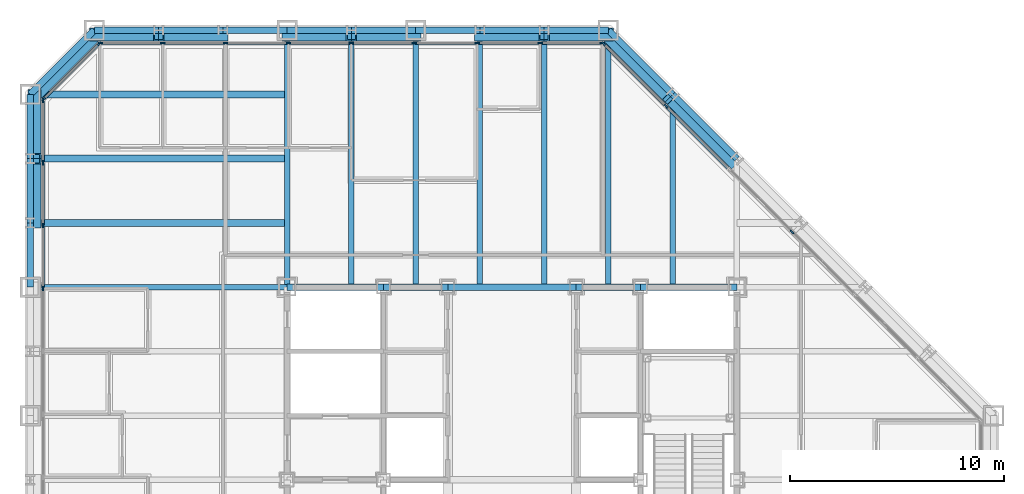
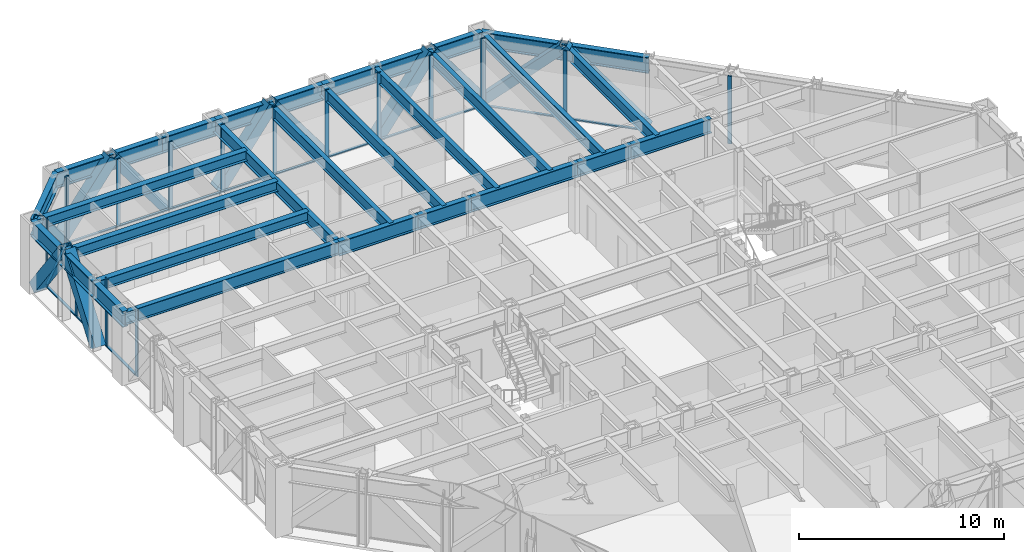
# One storey, part 7 of 16: 43 members, 30 beams, 4 elements without a shape of their own.
"""IFC4 building model written with IfcOpenShell, lengths in metres."""

from ifc_helpers import new_model, si_unit, direction, frame, origin, origin_2d, place, context, subcontext, project, spatial, rectangle, hollow_rectangle, i_section, extrude, material, layer, layer_set, material_profile, profile_set, type_object, element, aggregate, save


model = new_model("IFC4")

# Units and contexts
model_context = context("Model", 3, precision=1e-05, world=origin(), true_north=direction((0.0, 1.0)))
body_context = subcontext(model_context, "Body", "Model", "MODEL_VIEW")
ifc_project = project(units=[si_unit("LENGTHUNIT", "METRE"), si_unit("AREAUNIT", "SQUARE_METRE"), si_unit("VOLUMEUNIT", "CUBIC_METRE"), si_unit("PLANEANGLEUNIT", "RADIAN"), si_unit("MASSUNIT", "GRAM", prefix="KILO")], contexts=[model_context])

# Site, building, storey
site_placement = place(None, origin())
site = spatial("IfcSite", under=ifc_project, at=site_placement, CompositionType="ELEMENT")
building_placement = place(site_placement, origin())
building = spatial("IfcBuilding", under=site, at=building_placement, Name="Chuquiago Exchange Tower", CompositionType="ELEMENT")
storey_placement = place(building_placement, frame((0.0, 0.0, 144.60009765625)))
storey = spatial("IfcBuildingStorey", under=building, at=storey_placement, Name="L31", CompositionType="ELEMENT", Elevation=144.60009765625)

# Beams
ifc_material_1 = material(Name="Steel ASTM A992", Category="steel")
ifc_material_profile_1 = material_profile(ifc_material_1, i_section(OverallWidth=0.25390625, OverallDepth=0.683349609375, WebThickness=0.012451171875, FlangeThickness=0.018798828125, at=origin_2d()), Name="W27X94")
ifc_profile_set_1 = profile_set([ifc_material_profile_1], Name="Steel ASTM A992")
beam_type_1 = type_object("IfcBeamType", Name="B1 W27X94", PredefinedType="BEAM", material=ifc_profile_set_1)
for number, where, z_axis, x_axis, name in (
    (1, (15.0, 33.0, 3.6982421875), (0.0, 1.0, 0.0), (-1.0, 0.0, 0.0), "FB-L32-infill-15_33-15_45-0"),
    (2, (18.0, 33.0, 3.6982421875), (0.0, 1.0, 0.0), (-1.0, 0.0, 0.0), "FB-L32-infill-18_33-18_45-0"),
    (3, (21.0, 33.0, 3.6982421875), (0.0, 1.0, 0.0), (-1.0, 0.0, 0.0), "FB-L32-infill-21_33-21_45-0"),
    (4, (24.0, 33.0, 3.6982421875), (0.0, 1.0, 0.0), (-1.0, 0.0, 0.0), "FB-L32-infill-24_33-24_45-0"),
    (5, (27.0, 33.0, 3.6982421875), (0.0, 1.0, 0.0), (-1.0, 0.0, 0.0), "FB-L32-infill-27_33-27_45-0"),
):
    element("IfcBeam", number, at=place(storey_placement, frame(where, z_axis=z_axis, x_axis=x_axis)), inside=storey, type_object=beam_type_1, Name=name, PredefinedType="BEAM", context=body_context, shape_type="SweptSolid", body=[
        extrude(i_section(OverallWidth=0.25390625, OverallDepth=0.683349609375, WebThickness=0.012451171875, FlangeThickness=0.018798828125, at=origin_2d()), origin(), (0.0, 0.0, 1.0), 12.0),
    ])
beam_1_placement = place(storey_placement, frame((30.0, 33.0, 3.6982421875), z_axis=(0.0, 1.0, 0.0), x_axis=(-1.0, 0.0, 0.0)))
element("IfcBeam", 6, at=beam_1_placement, inside=storey, type_object=beam_type_1, Name="FB-L32-infill-30_33-30_42-0", PredefinedType="BEAM", context=body_context, shape_type="SweptSolid", body=[
    extrude(i_section(OverallWidth=0.25390625, OverallDepth=0.683349609375, WebThickness=0.012451171875, FlangeThickness=0.018798828125, at=origin_2d()), origin(), (0.0, 0.0, 1.0), 9.0),
])
ifc_material_2 = material(Name="Steel ASTM A992", Category="steel")
ifc_material_profile_2 = material_profile(ifc_material_2, i_section(OverallWidth=0.3251953125, OverallDepth=0.612060546875, WebThickness=0.0126953125, FlangeThickness=0.01904296875, at=origin_2d()), Name="W24X104")
ifc_profile_set_2 = profile_set([ifc_material_profile_2], Name="Steel ASTM A992")
beam_type_2 = type_object("IfcBeamType", Name="B2 W24X104", PredefinedType="BEAM", material=ifc_profile_set_2)
for number, where, z_axis, x_axis, name in (
    (7, (12.0, 36.0, 3.73388671875), (-1.0, 0.0, 0.0), (0.0, -1.0, 0.0), "FB-L32-corner-12_36--0_36-0"),
    (8, (12.0, 39.0, 3.73388671875), (-1.0, 0.0, 0.0), (0.0, -1.0, 0.0), "FB-L32-corner-12_39--0_39-0"),
    (9, (12.0, 42.0, 3.73388671875), (-1.0, 0.0, 0.0), (0.0, -1.0, 0.0), "FB-L32-corner-12_42--0_42-0"),
):
    element("IfcBeam", number, at=place(storey_placement, frame(where, z_axis=z_axis, x_axis=x_axis)), inside=storey, type_object=beam_type_2, Name=name, PredefinedType="BEAM", context=body_context, shape_type="SweptSolid", body=[
        extrude(i_section(OverallWidth=0.3251953125, OverallDepth=0.612060546875, WebThickness=0.0126953125, FlangeThickness=0.01904296875, at=origin_2d()), origin(), (0.0, 0.0, 1.0), 12.0),
    ])
ifc_material_3 = material(Name="Steel ASTM A992", Category="steel")
ifc_material_profile_3 = material_profile(ifc_material_3, i_section(OverallWidth=0.2919921875, OverallDepth=0.8583984375, WebThickness=0.01708984375, FlangeThickness=0.031005859375, at=origin_2d()), Name="W33X169")
ifc_profile_set_3 = profile_set([ifc_material_profile_3], Name="Steel ASTM A992")
beam_type_3 = type_object("IfcBeamType", Name="B3 W33X169", PredefinedType="BEAM", material=ifc_profile_set_3)
beam_2_placement = place(storey_placement, frame((12.0, 33.0, 3.610595703125), z_axis=(1.0, 0.0, 0.0), x_axis=(0.0, 1.0, 0.0)))
element("IfcBeam", 10, at=beam_2_placement, inside=storey, type_object=beam_type_3, Name="CB-L32-12_33-16.5_33", PredefinedType="BEAM", context=body_context, shape_type="SweptSolid", body=[
    extrude(i_section(OverallWidth=0.2919921875, OverallDepth=0.8583984375, WebThickness=0.01708984375, FlangeThickness=0.031005859375, at=origin_2d()), origin(), (0.0, 0.0, 1.0), 4.5),
])
beam_3_placement = place(storey_placement, frame((16.5, 33.0, 3.610595703125), z_axis=(1.0, 0.0, 0.0), x_axis=(0.0, 1.0, 0.0)))
element("IfcBeam", 11, at=beam_3_placement, inside=storey, type_object=beam_type_3, Name="CB-L32-16.5_33-19.5_33", PredefinedType="BEAM", context=body_context, shape_type="SweptSolid", body=[
    extrude(i_section(OverallWidth=0.2919921875, OverallDepth=0.8583984375, WebThickness=0.01708984375, FlangeThickness=0.031005859375, at=origin_2d()), origin(), (0.0, 0.0, 1.0), 3.0),
])
beam_4_placement = place(storey_placement, frame((19.5, 33.0, 3.610595703125), z_axis=(1.0, 0.0, 0.0), x_axis=(0.0, 1.0, 0.0)))
element("IfcBeam", 12, at=beam_4_placement, inside=storey, type_object=beam_type_3, Name="CB-L32-19.5_33-25.5_33", PredefinedType="BEAM", context=body_context, shape_type="SweptSolid", body=[
    extrude(i_section(OverallWidth=0.2919921875, OverallDepth=0.8583984375, WebThickness=0.01708984375, FlangeThickness=0.031005859375, at=origin_2d()), origin(), (0.0, 0.0, 1.0), 6.0),
])
beam_5_placement = place(storey_placement, frame((25.5, 33.0, 3.610595703125), z_axis=(1.0, 0.0, 0.0), x_axis=(0.0, 1.0, 0.0)))
element("IfcBeam", 13, at=beam_5_placement, inside=storey, type_object=beam_type_3, Name="CB-L32-25.5_33-28.5_33", PredefinedType="BEAM", context=body_context, shape_type="SweptSolid", body=[
    extrude(i_section(OverallWidth=0.2919921875, OverallDepth=0.8583984375, WebThickness=0.01708984375, FlangeThickness=0.031005859375, at=origin_2d()), origin(), (0.0, 0.0, 1.0), 3.0),
])
beam_6_placement = place(storey_placement, frame((28.5, 33.0, 3.610595703125), z_axis=(1.0, 0.0, 0.0), x_axis=(0.0, 1.0, 0.0)))
element("IfcBeam", 14, at=beam_6_placement, inside=storey, type_object=beam_type_3, Name="CB-L32-28.5_33-33_33", PredefinedType="BEAM", context=body_context, shape_type="SweptSolid", body=[
    extrude(i_section(OverallWidth=0.2919921875, OverallDepth=0.8583984375, WebThickness=0.01708984375, FlangeThickness=0.031005859375, at=origin_2d()), origin(), (0.0, 0.0, 1.0), 4.5),
])

# Curtain wall, members
ifc_material_4 = material(Name="Aluminium curtain wall system", Category="aluminium")
ifc_layer_1 = layer(ifc_material_4, 0.22509765625)
ifc_layer_set_1 = layer_set([ifc_layer_1], Name="CW2 office curtain wall")
curtain_wall_type_1 = type_object("IfcCurtainWallType", Name="CW2 office curtain wall", PredefinedType="NOTDEFINED", material=ifc_layer_set_1)
curtain_wall_1_placement = place(storey_placement, origin())
curtain_wall_1 = element("IfcCurtainWall", 15, at=curtain_wall_1_placement, inside=storey, type_object=curtain_wall_type_1, Name="CW2 curtain wall L31", PredefinedType="NOTDEFINED")
ifc_material_5 = material(Name="Aluminium mullion, pale anodised", Category="aluminium")
ifc_material_profile_4 = material_profile(ifc_material_5, rectangle(XDim=0.06494140625, YDim=0.22509765625, at=origin_2d()), Name="AL 65x225")
ifc_profile_set_4 = profile_set([ifc_material_profile_4], Name="Aluminium mullion, pale anodised")
member_type_1 = type_object("IfcMemberType", Name="CW2-M mullion 65x225", PredefinedType="MULLION", material=ifc_profile_set_4)
member_1_placement = place(storey_placement, frame((26.718994140625, 44.39990234375, 0.0), z_axis=(0.0, 0.0, 1.0), x_axis=(0.0, -1.0, 0.0)))
member_1 = element("IfcMember", 16, at=member_1_placement, type_object=member_type_1, Name="CW2 mullion 1", PredefinedType="MULLION", context=body_context, shape_type="SweptSolid", body=[
    extrude(rectangle(XDim=0.06494140625, YDim=0.22509765625, at=origin_2d()), origin(), (0.0, 0.0, 1.0), 4.039794921875),
])
member_2_placement = place(storey_placement, frame((23.813720703125, 44.39990234375, 0.0), z_axis=(0.0, 0.0, 1.0), x_axis=(0.0, -1.0, 0.0)))
member_2 = element("IfcMember", 17, at=member_2_placement, type_object=member_type_1, Name="CW2 mullion 2", PredefinedType="MULLION", context=body_context, shape_type="SweptSolid", body=[
    extrude(rectangle(XDim=0.06494140625, YDim=0.22509765625, at=origin_2d()), origin(), (0.0, 0.0, 1.0), 4.039794921875),
])
member_3_placement = place(storey_placement, frame((20.875732421875, 44.39990234375, 0.0), z_axis=(0.0, 0.0, 1.0), x_axis=(0.0, -1.0, 0.0)))
member_3 = element("IfcMember", 18, at=member_3_placement, type_object=member_type_1, Name="CW2 mullion 3", PredefinedType="MULLION", context=body_context, shape_type="SweptSolid", body=[
    extrude(rectangle(XDim=0.06494140625, YDim=0.22509765625, at=origin_2d()), origin(), (0.0, 0.0, 1.0), 4.039794921875),
])
member_4_placement = place(storey_placement, frame((17.93798828125, 44.39990234375, 0.0), z_axis=(0.0, 0.0, 1.0), x_axis=(0.0, -1.0, 0.0)))
member_4 = element("IfcMember", 19, at=member_4_placement, type_object=member_type_1, Name="CW2 mullion 4", PredefinedType="MULLION", context=body_context, shape_type="SweptSolid", body=[
    extrude(rectangle(XDim=0.06494140625, YDim=0.22509765625, at=origin_2d()), origin(), (0.0, 0.0, 1.0), 4.039794921875),
])
member_5_placement = place(storey_placement, frame((15.0, 44.39990234375, 0.0), z_axis=(0.0, 0.0, 1.0), x_axis=(0.0, -1.0, 0.0)))
member_5 = element("IfcMember", 20, at=member_5_placement, type_object=member_type_1, Name="CW2 mullion 5", PredefinedType="MULLION", context=body_context, shape_type="SweptSolid", body=[
    extrude(rectangle(XDim=0.06494140625, YDim=0.22509765625, at=origin_2d()), origin(), (0.0, 0.0, 1.0), 4.039794921875),
])
member_6_placement = place(storey_placement, frame((12.06201171875, 44.39990234375, 0.0), z_axis=(0.0, 0.0, 1.0), x_axis=(0.0, -1.0, 0.0)))
member_6 = element("IfcMember", 21, at=member_6_placement, type_object=member_type_1, Name="CW2 mullion 6", PredefinedType="MULLION", context=body_context, shape_type="SweptSolid", body=[
    extrude(rectangle(XDim=0.06494140625, YDim=0.22509765625, at=origin_2d()), origin(), (0.0, 0.0, 1.0), 4.039794921875),
])
member_7_placement = place(storey_placement, frame((9.124267578125, 44.39990234375, 0.0), z_axis=(0.0, 0.0, 1.0), x_axis=(0.0, -1.0, 0.0)))
member_7 = element("IfcMember", 22, at=member_7_placement, type_object=member_type_1, Name="CW2 mullion 7", PredefinedType="MULLION", context=body_context, shape_type="SweptSolid", body=[
    extrude(rectangle(XDim=0.06494140625, YDim=0.22509765625, at=origin_2d()), origin(), (0.0, 0.0, 1.0), 4.039794921875),
])
member_8_placement = place(storey_placement, frame((6.186279296875, 44.39990234375, 0.0), z_axis=(0.0, 0.0, 1.0), x_axis=(0.0, -1.0, 0.0)))
member_8 = element("IfcMember", 23, at=member_8_placement, type_object=member_type_1, Name="CW2 mullion 8", PredefinedType="MULLION", context=body_context, shape_type="SweptSolid", body=[
    extrude(rectangle(XDim=0.06494140625, YDim=0.22509765625, at=origin_2d()), origin(), (0.0, 0.0, 1.0), 4.039794921875),
])
member_9_placement = place(storey_placement, frame((3.281005859375, 44.39990234375, 0.0), z_axis=(0.0, 0.0, 1.0), x_axis=(0.0, -1.0, 0.0)))
member_9 = element("IfcMember", 24, at=member_9_placement, type_object=member_type_1, Name="CW2 mullion 9", PredefinedType="MULLION", context=body_context, shape_type="SweptSolid", body=[
    extrude(rectangle(XDim=0.06494140625, YDim=0.22509765625, at=origin_2d()), origin(), (0.0, 0.0, 1.0), 4.039794921875),
])

curtain_wall_2_placement = place(storey_placement, origin())
curtain_wall_2 = element("IfcCurtainWall", 25, at=curtain_wall_2_placement, inside=storey, type_object=curtain_wall_type_1, Name="CW2 curtain wall L31", PredefinedType="NOTDEFINED")
member_10_placement = place(storey_placement, frame((0.60009765625, 41.718994140625, 0.0), z_axis=(0.0, 0.0, 1.0), x_axis=(1.0, 0.0, 0.0)))
member_10 = element("IfcMember", 26, at=member_10_placement, type_object=member_type_1, Name="CW2 mullion 1", PredefinedType="MULLION", context=body_context, shape_type="SweptSolid", body=[
    extrude(rectangle(XDim=0.06494140625, YDim=0.22509765625, at=origin_2d()), origin(), (0.0, 0.0, 1.0), 4.039794921875),
])
member_11_placement = place(storey_placement, frame((0.60009765625, 38.813720703125, 0.0), z_axis=(0.0, 0.0, 1.0), x_axis=(1.0, 0.0, 0.0)))
member_11 = element("IfcMember", 27, at=member_11_placement, type_object=member_type_1, Name="CW2 mullion 2", PredefinedType="MULLION", context=body_context, shape_type="SweptSolid", body=[
    extrude(rectangle(XDim=0.06494140625, YDim=0.22509765625, at=origin_2d()), origin(), (0.0, 0.0, 1.0), 4.039794921875),
])
member_12_placement = place(storey_placement, frame((0.60009765625, 35.875732421875, 0.0), z_axis=(0.0, 0.0, 1.0), x_axis=(1.0, 0.0, 0.0)))
member_12 = element("IfcMember", 28, at=member_12_placement, type_object=member_type_1, Name="CW2 mullion 3", PredefinedType="MULLION", context=body_context, shape_type="SweptSolid", body=[
    extrude(rectangle(XDim=0.06494140625, YDim=0.22509765625, at=origin_2d()), origin(), (0.0, 0.0, 1.0), 4.039794921875),
])
member_13_placement = place(storey_placement, frame((0.60009765625, 32.93798828125, 0.0), z_axis=(0.0, 0.0, 1.0), x_axis=(1.0, 0.0, 0.0)))
member_13 = element("IfcMember", 29, at=member_13_placement, type_object=member_type_1, Name="CW2 mullion 4", PredefinedType="MULLION", context=body_context, shape_type="SweptSolid", body=[
    extrude(rectangle(XDim=0.06494140625, YDim=0.22509765625, at=origin_2d()), origin(), (0.0, 0.0, 1.0), 4.039794921875),
])

# Member
ifc_material_6 = material(Name="Aluminium transom, pale anodised", Category="aluminium")
ifc_material_profile_5 = material_profile(ifc_material_6, rectangle(XDim=0.139892578125, YDim=0.06494140625, at=origin_2d()), Name="AL 140x65")
ifc_profile_set_5 = profile_set([ifc_material_profile_5], Name="Aluminium transom, pale anodised")
member_type_2 = type_object("IfcMemberType", Name="CW2-T transom 65x140", PredefinedType="MULLION", material=ifc_profile_set_5)
member_14_placement = place(storey_placement, frame((26.6865234375, 44.39990234375, 0.032470703125), z_axis=(-1.0, 0.0, 0.0), x_axis=(0.0, -1.0, 0.0)))
member_14 = element("IfcMember", 30, at=member_14_placement, type_object=member_type_2, Name="CW2 transom 1.1", PredefinedType="MULLION", context=body_context, shape_type="SweptSolid", body=[
    extrude(rectangle(XDim=0.139892578125, YDim=0.06494140625, at=origin_2d()), origin(), (0.0, 0.0, 1.0), 2.84033203125),
])

member_15_placement = place(storey_placement, frame((23.781005859375, 44.39990234375, 0.032470703125), z_axis=(-1.0, 0.0, 0.0), x_axis=(0.0, -1.0, 0.0)))
member_15 = element("IfcMember", 31, at=member_15_placement, type_object=member_type_2, Name="CW2 transom 2.1", PredefinedType="MULLION", context=body_context, shape_type="SweptSolid", body=[
    extrude(rectangle(XDim=0.139892578125, YDim=0.06494140625, at=origin_2d()), origin(), (0.0, 0.0, 1.0), 2.872802734375),
])

member_16_placement = place(storey_placement, frame((20.84326171875, 44.39990234375, 0.032470703125), z_axis=(-1.0, 0.0, 0.0), x_axis=(0.0, -1.0, 0.0)))
member_16 = element("IfcMember", 32, at=member_16_placement, type_object=member_type_2, Name="CW2 transom 3.1", PredefinedType="MULLION", context=body_context, shape_type="SweptSolid", body=[
    extrude(rectangle(XDim=0.139892578125, YDim=0.06494140625, at=origin_2d()), origin(), (0.0, 0.0, 1.0), 2.872802734375),
])

member_17_placement = place(storey_placement, frame((17.9052734375, 44.39990234375, 0.032470703125), z_axis=(-1.0, 0.0, 0.0), x_axis=(0.0, -1.0, 0.0)))
member_17 = element("IfcMember", 33, at=member_17_placement, type_object=member_type_2, Name="CW2 transom 4.1", PredefinedType="MULLION", context=body_context, shape_type="SweptSolid", body=[
    extrude(rectangle(XDim=0.139892578125, YDim=0.06494140625, at=origin_2d()), origin(), (0.0, 0.0, 1.0), 2.872802734375),
])

member_18_placement = place(storey_placement, frame((14.967529296875, 44.39990234375, 0.032470703125), z_axis=(-1.0, 0.0, 0.0), x_axis=(0.0, -1.0, 0.0)))
member_18 = element("IfcMember", 34, at=member_18_placement, type_object=member_type_2, Name="CW2 transom 5.1", PredefinedType="MULLION", context=body_context, shape_type="SweptSolid", body=[
    extrude(rectangle(XDim=0.139892578125, YDim=0.06494140625, at=origin_2d()), origin(), (0.0, 0.0, 1.0), 2.872802734375),
])

member_19_placement = place(storey_placement, frame((12.029541015625, 44.39990234375, 0.032470703125), z_axis=(-1.0, 0.0, 0.0), x_axis=(0.0, -1.0, 0.0)))
member_19 = element("IfcMember", 35, at=member_19_placement, type_object=member_type_2, Name="CW2 transom 6.1", PredefinedType="MULLION", context=body_context, shape_type="SweptSolid", body=[
    extrude(rectangle(XDim=0.139892578125, YDim=0.06494140625, at=origin_2d()), origin(), (0.0, 0.0, 1.0), 2.872802734375),
])

member_20_placement = place(storey_placement, frame((9.091796875, 44.39990234375, 0.032470703125), z_axis=(-1.0, 0.0, 0.0), x_axis=(0.0, -1.0, 0.0)))
member_20 = element("IfcMember", 36, at=member_20_placement, type_object=member_type_2, Name="CW2 transom 7.1", PredefinedType="MULLION", context=body_context, shape_type="SweptSolid", body=[
    extrude(rectangle(XDim=0.139892578125, YDim=0.06494140625, at=origin_2d()), origin(), (0.0, 0.0, 1.0), 2.872802734375),
])

member_21_placement = place(storey_placement, frame((6.15380859375, 44.39990234375, 0.032470703125), z_axis=(-1.0, 0.0, 0.0), x_axis=(0.0, -1.0, 0.0)))
member_21 = element("IfcMember", 37, at=member_21_placement, type_object=member_type_2, Name="CW2 transom 8.1", PredefinedType="MULLION", context=body_context, shape_type="SweptSolid", body=[
    extrude(rectangle(XDim=0.139892578125, YDim=0.06494140625, at=origin_2d()), origin(), (0.0, 0.0, 1.0), 2.84033203125),
])

aggregate(curtain_wall_1, [member_1, member_2, member_3, member_4, member_5, member_6, member_7, member_8, member_9, member_14, member_15, member_16, member_17, member_18, member_19, member_20, member_21])

member_22_placement = place(storey_placement, frame((0.60009765625, 41.6865234375, 0.032470703125), z_axis=(0.0, -1.0, 0.0), x_axis=(1.0, 0.0, 0.0)))
member_22 = element("IfcMember", 38, at=member_22_placement, type_object=member_type_2, Name="CW2 transom 1.1", PredefinedType="MULLION", context=body_context, shape_type="SweptSolid", body=[
    extrude(rectangle(XDim=0.139892578125, YDim=0.06494140625, at=origin_2d()), origin(), (0.0, 0.0, 1.0), 2.84033203125),
])

member_23_placement = place(storey_placement, frame((0.60009765625, 38.781005859375, 0.032470703125), z_axis=(0.0, -1.0, 0.0), x_axis=(1.0, 0.0, 0.0)))
member_23 = element("IfcMember", 39, at=member_23_placement, type_object=member_type_2, Name="CW2 transom 2.1", PredefinedType="MULLION", context=body_context, shape_type="SweptSolid", body=[
    extrude(rectangle(XDim=0.139892578125, YDim=0.06494140625, at=origin_2d()), origin(), (0.0, 0.0, 1.0), 2.872802734375),
])

member_24_placement = place(storey_placement, frame((0.60009765625, 35.84326171875, 0.032470703125), z_axis=(0.0, -1.0, 0.0), x_axis=(1.0, 0.0, 0.0)))
member_24 = element("IfcMember", 40, at=member_24_placement, type_object=member_type_2, Name="CW2 transom 3.1", PredefinedType="MULLION", context=body_context, shape_type="SweptSolid", body=[
    extrude(rectangle(XDim=0.139892578125, YDim=0.06494140625, at=origin_2d()), origin(), (0.0, 0.0, 1.0), 2.872802734375),
])

aggregate(curtain_wall_2, [member_10, member_11, member_12, member_13, member_22, member_23, member_24])

# Curtain wall, members
ifc_material_7 = material(Name="Aluminium curtain wall system", Category="aluminium")
ifc_layer_2 = layer(ifc_material_7, 0.199951171875)
ifc_layer_set_2 = layer_set([ifc_layer_2], Name="CW3 facet curtain wall")
curtain_wall_type_2 = type_object("IfcCurtainWallType", Name="CW3 facet curtain wall", PredefinedType="NOTDEFINED", material=ifc_layer_set_2)
curtain_wall_3_placement = place(storey_placement, origin())
curtain_wall_3 = element("IfcCurtainWall", 41, at=curtain_wall_3_placement, inside=storey, type_object=curtain_wall_type_2, Name="CW3 curtain wall L31", PredefinedType="NOTDEFINED")
ifc_material_8 = material(Name="Aluminium mullion, pale anodised", Category="aluminium")
ifc_material_profile_6 = material_profile(ifc_material_8, rectangle(XDim=0.06494140625, YDim=0.199951171875, at=origin_2d()), Name="AL 65x200")
ifc_profile_set_6 = profile_set([ifc_material_profile_6], Name="Aluminium mullion, pale anodised")
member_type_3 = type_object("IfcMemberType", Name="CW3-M mullion 65x200", PredefinedType="MULLION", material=ifc_profile_set_6)
member_25_placement = place(storey_placement, frame((35.57568359375, 35.57568359375, 0.0), z_axis=(0.0, 0.0, 1.0), x_axis=(-0.707106781187, -0.707106781187, 0.0)))
member_25 = element("IfcMember", 42, at=member_25_placement, type_object=member_type_3, Name="CW3 mullion 4", PredefinedType="MULLION", context=body_context, shape_type="SweptSolid", body=[
    extrude(rectangle(XDim=0.06494140625, YDim=0.199951171875, at=origin_2d()), origin(), (0.0, 0.0, 1.0), 4.039794921875),
])
member_26_placement = place(storey_placement, frame((29.69287109375, 41.45849609375, 0.0), z_axis=(0.0, 0.0, 1.0), x_axis=(-0.707106781187, -0.707106781187, 0.0)))
member_26 = element("IfcMember", 43, at=member_26_placement, type_object=member_type_3, Name="CW3 mullion 6", PredefinedType="MULLION", context=body_context, shape_type="SweptSolid", body=[
    extrude(rectangle(XDim=0.06494140625, YDim=0.199951171875, at=origin_2d()), origin(), (0.0, 0.0, 1.0), 4.039794921875),
])
member_27_placement = place(storey_placement, frame((26.7744140625, 44.376953125, 0.0), z_axis=(0.0, 0.0, 1.0), x_axis=(-0.707106781187, -0.707106781187, 0.0)))
member_27 = element("IfcMember", 44, at=member_27_placement, type_object=member_type_3, Name="CW3 mullion 7", PredefinedType="MULLION", context=body_context, shape_type="SweptSolid", body=[
    extrude(rectangle(XDim=0.06494140625, YDim=0.199951171875, at=origin_2d()), origin(), (0.0, 0.0, 1.0), 4.039794921875),
])

curtain_wall_4_placement = place(storey_placement, origin())
curtain_wall_4 = element("IfcCurtainWall", 45, at=curtain_wall_4_placement, inside=storey, type_object=curtain_wall_type_2, Name="CW3 curtain wall L31", PredefinedType="NOTDEFINED")
member_28_placement = place(storey_placement, frame((3.2255859375, 44.376953125, 0.0), z_axis=(0.0, 0.0, 1.0), x_axis=(0.707106781187, -0.707106781187, 0.0)))
member_28 = element("IfcMember", 46, at=member_28_placement, type_object=member_type_3, Name="CW3 mullion 1", PredefinedType="MULLION", context=body_context, shape_type="SweptSolid", body=[
    extrude(rectangle(XDim=0.06494140625, YDim=0.199951171875, at=origin_2d()), origin(), (0.0, 0.0, 1.0), 4.039794921875),
])
member_29_placement = place(storey_placement, frame((0.623046875, 41.7744140625, 0.0), z_axis=(0.0, 0.0, 1.0), x_axis=(0.707106781187, -0.707106781187, 0.0)))
member_29 = element("IfcMember", 47, at=member_29_placement, type_object=member_type_3, Name="CW3 mullion 2", PredefinedType="MULLION", context=body_context, shape_type="SweptSolid", body=[
    extrude(rectangle(XDim=0.06494140625, YDim=0.199951171875, at=origin_2d()), origin(), (0.0, 0.0, 1.0), 4.039794921875),
])

# Member
ifc_material_9 = material(Name="Aluminium transom, pale anodised", Category="aluminium")
ifc_material_profile_7 = material_profile(ifc_material_9, rectangle(XDim=0.139892578125, YDim=0.06494140625, at=origin_2d()), Name="AL 140x65")
ifc_profile_set_7 = profile_set([ifc_material_profile_7], Name="Aluminium transom, pale anodised")
member_type_4 = type_object("IfcMemberType", Name="CW3-T transom 65x140", PredefinedType="MULLION", material=ifc_profile_set_7)
member_30_placement = place(storey_placement, frame((32.611328125, 38.5400390625, 0.032470703125), z_axis=(-0.707106781187, 0.707106781187, 0.0), x_axis=(-0.707106781187, -0.707106781187, 0.0)))
member_30 = element("IfcMember", 48, at=member_30_placement, type_object=member_type_4, Name="CW3 transom 5.1", PredefinedType="MULLION", context=body_context, shape_type="SweptSolid", body=[
    extrude(rectangle(XDim=0.139892578125, YDim=0.06494140625, at=origin_2d()), origin(), (0.0, 0.0, 1.0), 4.094970703125),
])

member_31_placement = place(storey_placement, frame((29.669921875, 41.4814453125, 0.032470703125), z_axis=(-0.707106781187, 0.707106781187, 0.0), x_axis=(-0.707106781187, -0.707106781187, 0.0)))
member_31 = element("IfcMember", 49, at=member_31_placement, type_object=member_type_4, Name="CW3 transom 6.1", PredefinedType="MULLION", context=body_context, shape_type="SweptSolid", body=[
    extrude(rectangle(XDim=0.139892578125, YDim=0.06494140625, at=origin_2d()), origin(), (0.0, 0.0, 1.0), 4.0625),
])

aggregate(curtain_wall_3, [member_25, member_26, member_27, member_30, member_31])

member_32_placement = place(storey_placement, frame((3.20263671875, 44.35400390625, 0.032470703125), z_axis=(-0.707106781187, -0.707106781187, 0.0), x_axis=(0.707106781187, -0.707106781187, 0.0)))
member_32 = element("IfcMember", 50, at=member_32_placement, type_object=member_type_4, Name="CW3 transom 1.1", PredefinedType="MULLION", context=body_context, shape_type="SweptSolid", body=[
    extrude(rectangle(XDim=0.139892578125, YDim=0.06494140625, at=origin_2d()), origin(), (0.0, 0.0, 1.0), 3.61572265625),
])

aggregate(curtain_wall_4, [member_28, member_29, member_32])

# Beams
ifc_material_10 = material(Name="Steel ASTM A992", Category="steel")
ifc_material_profile_8 = material_profile(ifc_material_10, i_section(OverallWidth=0.2666015625, OverallDepth=0.76953125, WebThickness=0.015625, FlangeThickness=0.025390625, at=origin_2d()), Name="W30X132")
ifc_profile_set_8 = profile_set([ifc_material_profile_8], Name="Steel ASTM A992")
beam_type_4 = type_object("IfcBeamType", Name="G1 W30X132", PredefinedType="BEAM", material=ifc_profile_set_8)
for number, where, z_axis, x_axis, name in (
    (51, (12.0, 33.0, 3.655029296875), (0.0, 1.0, 0.0), (-1.0, 0.0, 0.0), "FB-L32-girder-12_33-12_45-0"),
    (52, (12.0, 33.0, 3.655029296875), (-1.0, 0.0, 0.0), (0.0, -1.0, 0.0), "FB-L32-girder-12_33--0_33-0"),
):
    element("IfcBeam", number, at=place(storey_placement, frame(where, z_axis=z_axis, x_axis=x_axis)), inside=storey, type_object=beam_type_4, Name=name, PredefinedType="BEAM", context=body_context, shape_type="SweptSolid", body=[
        extrude(i_section(OverallWidth=0.2666015625, OverallDepth=0.76953125, WebThickness=0.015625, FlangeThickness=0.025390625, at=origin_2d()), origin(), (0.0, 0.0, 1.0), 12.0),
    ])

# Members
ifc_material_11 = material(Name="Steel ASTM A500 Grade C", Category="steel")
ifc_material_profile_9 = material_profile(ifc_material_11, hollow_rectangle(XDim=0.508056640625, YDim=0.508056640625, WallThickness=0.017822265625, at=origin_2d()), Name="HSS20X20X3/4")
ifc_profile_set_9 = profile_set([ifc_material_profile_9], Name="Steel ASTM A500 Grade C")
member_type_5 = type_object("IfcMemberType", Name="LB1 HSS20X20X3/4", PredefinedType="BRACE", material=ifc_profile_set_9)
for number, where, z_axis, x_axis, name in (
    (53, (32.822509765625, 38.822509765625, 0.0), (-0.51209198167, 0.51209198167, 0.689582195694), (-0.707106781187, -0.707106781187, 0.0), "LB-L31-33_39-30_42"),
    (54, (26.822509765625, 44.822509765625, 0.0), (0.51209198167, -0.51209198167, 0.689582195694), (0.707106781187, 0.707106781187, 0.0), "LB-L31-30_42-27_45"),
    (55, (3.177490234375, 44.822509765625, 0.0), (-0.51209198167, -0.51209198167, 0.689582195694), (0.707106781187, -0.707106781187, 0.0), "LB-L31-3_45-0_42"),
):
    element("IfcMember", number, at=place(storey_placement, frame(where, z_axis=z_axis, x_axis=x_axis)), inside=storey, type_object=member_type_5, Name=name, PredefinedType="BRACE", context=body_context, shape_type="SweptSolid", body=[
        extrude(hollow_rectangle(XDim=0.508056640625, YDim=0.508056640625, WallThickness=0.017822265625, at=origin_2d()), origin(), (0.0, 0.0, 1.0), 5.8583984375),
    ])
ifc_material_12 = material(Name="Steel ASTM A572 Grade 50", Category="steel")
ifc_material_profile_10 = material_profile(ifc_material_12, hollow_rectangle(XDim=0.60009765625, YDim=0.60009765625, WallThickness=0.06005859375, at=origin_2d()), Name="BOX600X600X60")
ifc_profile_set_10 = profile_set([ifc_material_profile_10], Name="Steel ASTM A572 Grade 50")
member_type_6 = type_object("IfcMemberType", Name="MB2 BOX600X600X60", PredefinedType="BRACE", material=ifc_profile_set_10)
for number, where, z_axis, x_axis, name in (
    (56, (27.0, 44.794921875, 0.0), (-0.596197146086, 0.0, 0.802838067732), (0.0, -1.0, 0.0), "Mega diagonal L31 N face"),
    (57, (21.0, 44.794921875, 0.0), (0.596197146086, 0.0, 0.802838067732), (0.0, 1.0, 0.0), "Mega diagonal L31 N face"),
    (58, (18.0, 44.794921875, 0.0), (-0.596197146086, 0.0, 0.802838067732), (0.0, -1.0, 0.0), "Mega diagonal L31 N face"),
    (59, (12.0, 44.794921875, 0.0), (0.596197146086, 0.0, 0.802838067732), (0.0, 1.0, 0.0), "Mega diagonal L31 N face"),
    (60, (9.0, 44.794921875, 0.0), (-0.596197146086, 0.0, 0.802838067732), (0.0, -1.0, 0.0), "Mega diagonal L31 N face"),
    (61, (3.0, 44.794921875, 0.0), (0.596197146086, 0.0, 0.802838067732), (0.0, 1.0, 0.0), "Mega diagonal L31 N face"),
    (62, (0.205078125, 42.0, 0.0), (0.0, -0.596197146086, 0.802838067732), (1.0, 0.0, 0.0), "Mega diagonal L31 W face"),
    (63, (0.205078125, 36.0, 0.0), (0.0, 0.596197146086, 0.802838067732), (-1.0, 0.0, 0.0), "Mega diagonal L31 W face"),
):
    element("IfcMember", number, at=place(storey_placement, frame(where, z_axis=z_axis, x_axis=x_axis)), inside=storey, type_object=member_type_6, Name=name, PredefinedType="BRACE", context=body_context, shape_type="SweptSolid", body=[
        extrude(hollow_rectangle(XDim=0.60009765625, YDim=0.60009765625, WallThickness=0.06005859375, at=origin_2d()), origin(), (0.0, 0.0, 1.0), 5.031982421875),
    ])

# Beams
ifc_material_13 = material(Name="Steel ASTM A992", Category="steel")
ifc_material_profile_11 = material_profile(ifc_material_13, i_section(OverallWidth=0.309814453125, OverallDepth=0.949951171875, WebThickness=0.0244140625, FlangeThickness=0.0439453125, at=origin_2d()), Name="W36X256")
ifc_profile_set_11 = profile_set([ifc_material_profile_11], Name="Steel ASTM A992")
beam_type_5 = type_object("IfcBeamType", Name="SP2 W36X256", PredefinedType="SPANDREL", material=ifc_profile_set_11)
for number, where, z_axis, x_axis, name in (
    (64, (33.0, 39.0, 3.56494140625), (-0.707106781187, 0.707106781187, 0.0), (-0.707106781187, -0.707106781187, 0.0), "SPB-L32-33_39-30_42"),
    (65, (30.0, 42.0, 3.56494140625), (-0.707106781187, 0.707106781187, 0.0), (-0.707106781187, -0.707106781187, 0.0), "SPB-L32-30_42-27_45"),
):
    element("IfcBeam", number, at=place(storey_placement, frame(where, z_axis=z_axis, x_axis=x_axis)), inside=storey, type_object=beam_type_5, Name=name, PredefinedType="SPANDREL", context=body_context, shape_type="SweptSolid", body=[
        extrude(i_section(OverallWidth=0.309814453125, OverallDepth=0.949951171875, WebThickness=0.0244140625, FlangeThickness=0.0439453125, at=origin_2d()), origin(), (0.0, 0.0, 1.0), 4.24267578125),
    ])
for number, where, z_axis, x_axis, name in (
    (66, (27.0, 45.0, 3.56494140625), (-1.0, 0.0, 0.0), (0.0, -1.0, 0.0), "SPB-L32-27_45-24_45"),
    (67, (24.0, 45.0, 3.56494140625), (-1.0, 0.0, 0.0), (0.0, -1.0, 0.0), "SPB-L32-24_45-21_45"),
    (68, (21.0, 45.0, 3.56494140625), (-1.0, 0.0, 0.0), (0.0, -1.0, 0.0), "SPB-L32-21_45-18_45"),
    (69, (18.0, 45.0, 3.56494140625), (-1.0, 0.0, 0.0), (0.0, -1.0, 0.0), "SPB-L32-18_45-15_45"),
    (70, (15.0, 45.0, 3.56494140625), (-1.0, 0.0, 0.0), (0.0, -1.0, 0.0), "SPB-L32-15_45-12_45"),
    (71, (12.0, 45.0, 3.56494140625), (-1.0, 0.0, 0.0), (0.0, -1.0, 0.0), "SPB-L32-12_45-9_45"),
    (72, (9.0, 45.0, 3.56494140625), (-1.0, 0.0, 0.0), (0.0, -1.0, 0.0), "SPB-L32-9_45-6_45"),
    (73, (6.0, 45.0, 3.56494140625), (-1.0, 0.0, 0.0), (0.0, -1.0, 0.0), "SPB-L32-6_45-3_45"),
):
    element("IfcBeam", number, at=place(storey_placement, frame(where, z_axis=z_axis, x_axis=x_axis)), inside=storey, type_object=beam_type_5, Name=name, PredefinedType="SPANDREL", context=body_context, shape_type="SweptSolid", body=[
        extrude(i_section(OverallWidth=0.309814453125, OverallDepth=0.949951171875, WebThickness=0.0244140625, FlangeThickness=0.0439453125, at=origin_2d()), origin(), (0.0, 0.0, 1.0), 3.0),
    ])
beam_7_placement = place(storey_placement, frame((3.0, 45.0, 3.56494140625), z_axis=(-0.707106781187, -0.707106781187, 0.0), x_axis=(0.707106781187, -0.707106781187, 0.0)))
element("IfcBeam", 74, at=beam_7_placement, inside=storey, type_object=beam_type_5, Name="SPB-L32-3_45-0_42", PredefinedType="SPANDREL", context=body_context, shape_type="SweptSolid", body=[
    extrude(i_section(OverallWidth=0.309814453125, OverallDepth=0.949951171875, WebThickness=0.0244140625, FlangeThickness=0.0439453125, at=origin_2d()), origin(), (0.0, 0.0, 1.0), 4.24267578125),
])
for number, where, z_axis, x_axis, name in (
    (75, (0.0, 42.0, 3.56494140625), (0.0, -1.0, 0.0), (1.0, 0.0, 0.0), "SPB-L32-0_42-0_39"),
    (76, (0.0, 39.0, 3.56494140625), (0.0, -1.0, 0.0), (1.0, 0.0, 0.0), "SPB-L32-0_39-0_36"),
    (77, (0.0, 36.0, 3.56494140625), (0.0, -1.0, 0.0), (1.0, 0.0, 0.0), "SPB-L32-0_36-0_33"),
):
    element("IfcBeam", number, at=place(storey_placement, frame(where, z_axis=z_axis, x_axis=x_axis)), inside=storey, type_object=beam_type_5, Name=name, PredefinedType="SPANDREL", context=body_context, shape_type="SweptSolid", body=[
        extrude(i_section(OverallWidth=0.309814453125, OverallDepth=0.949951171875, WebThickness=0.0244140625, FlangeThickness=0.0439453125, at=origin_2d()), origin(), (0.0, 0.0, 1.0), 3.0),
    ])

save(model, "model.ifc")
